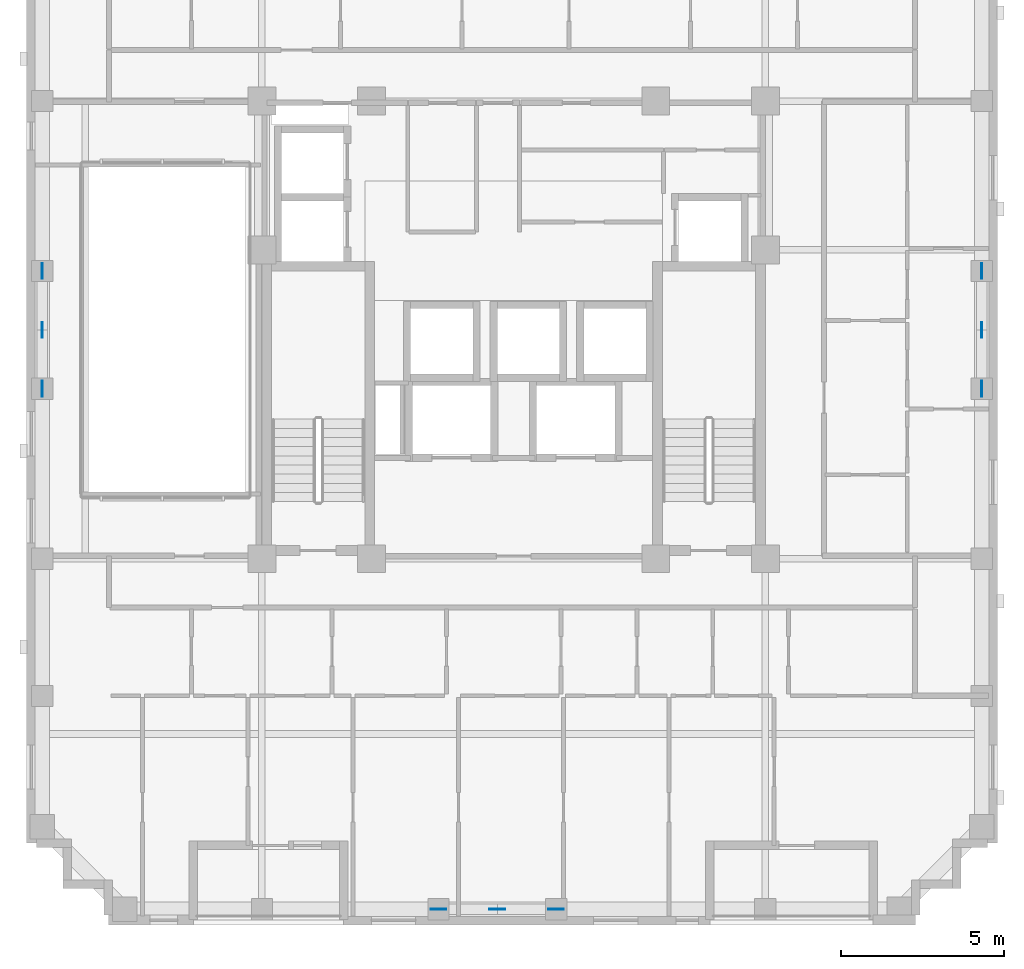
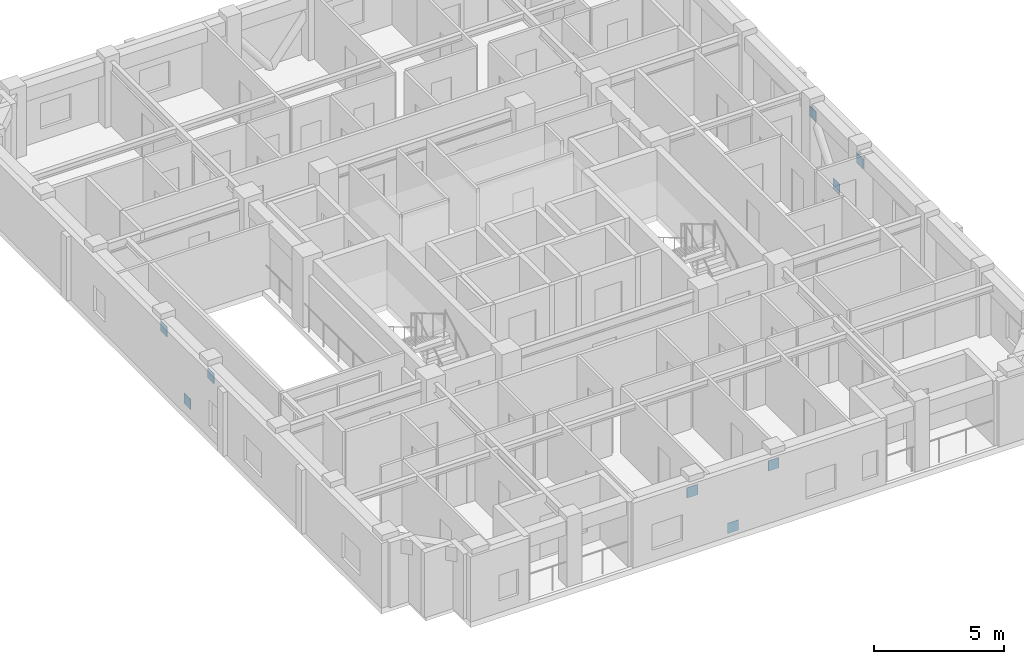
# One storey, part 10 of 13: 9 discrete accessories.
"""IFC4 building model written with IfcOpenShell, lengths in metres."""

from ifc_helpers import new_model, si_unit, derived_unit, direction, frame, origin, origin_2d, place, context, subcontext, project, spatial, rectangle, extrude, material, layer, layer_set, type_object, element, save


model = new_model("IFC4")

# Units and contexts
model_context = context("Model", 3, precision=1e-05, world=origin(), true_north=direction((0.0, 1.0)))
body_context = subcontext(model_context, "Body", "Model", "MODEL_VIEW")
ifc_project = project(units=[si_unit("LENGTHUNIT", "METRE"), si_unit("AREAUNIT", "SQUARE_METRE"), si_unit("VOLUMEUNIT", "CUBIC_METRE"), si_unit("PLANEANGLEUNIT", "RADIAN"), si_unit("MASSUNIT", "GRAM", prefix="KILO"), derived_unit("THERMALTRANSMITTANCEUNIT", [(si_unit("MASSUNIT", "GRAM", prefix="KILO"), 1), (si_unit("TIMEUNIT", "SECOND"), -3), (si_unit("THERMODYNAMICTEMPERATUREUNIT", "KELVIN"), -1)])], contexts=[model_context])

# Site, building, storey
site_placement = place(None, origin())
site = spatial("IfcSite", under=ifc_project, at=site_placement, CompositionType="ELEMENT")
building_placement = place(site_placement, origin())
building = spatial("IfcBuilding", under=site, at=building_placement, Name="Korrvale Station Residences", CompositionType="ELEMENT")
storey_placement = place(building_placement, frame((0.0, 0.0, 177.699951171875)))
storey = spatial("IfcBuildingStorey", under=building, at=storey_placement, Name="L51", CompositionType="ELEMENT", Elevation=177.699951171875)

# Discrete accessories
ifc_material = material(Name="Steel S355", Category="steel")
ifc_layer = layer(ifc_material, 0.02490234375, Name="Steel S355")
ifc_layer_set = layer_set([ifc_layer], Name="Steel S355")
discrete_accessory_type = type_object("IfcDiscreteAccessoryType", Name="ACC-GUSSET-25", PredefinedType="BRACKET", material=ifc_layer_set)
for number, where, z_axis, x_axis, name in (
    (1, (25.0, 4.280029296875, -0.219970703125), (0.0, 0.0, 1.0), (1.0, 0.0, 0.0), "L51 S Brace End Gusset Connection M"),
    (2, (23.199951171875, 4.280029296875, 2.070068359375), (0.0, 0.0, 1.0), (1.0, 0.0, 0.0), "L51 S Brace End Gusset Connection A"),
    (3, (26.800048828125, 4.280029296875, 2.070068359375), (0.0, 0.0, 1.0), (1.0, 0.0, 0.0), "L51 S Brace End Gusset Connection B"),
    (4, (11.080078125, 22.0, -0.219970703125), (0.0, 0.0, 1.0), (0.0, 1.0, 0.0), "L51 W Brace End Gusset Connection M"),
    (5, (11.080078125, 20.199951171875, 2.070068359375), (0.0, 0.0, 1.0), (0.0, 1.0, 0.0), "L51 W Brace End Gusset Connection A"),
    (6, (11.080078125, 23.800048828125, 2.070068359375), (0.0, 0.0, 1.0), (0.0, 1.0, 0.0), "L51 W Brace End Gusset Connection B"),
    (7, (39.820068359375, 22.0, -0.219970703125), (0.0, 0.0, 1.0), (0.0, 1.0, 0.0), "L51 E Brace End Gusset Connection M"),
    (8, (39.820068359375, 20.199951171875, 2.070068359375), (0.0, 0.0, 1.0), (0.0, 1.0, 0.0), "L51 E Brace End Gusset Connection A"),
    (9, (39.820068359375, 23.800048828125, 2.070068359375), (0.0, 0.0, 1.0), (0.0, 1.0, 0.0), "L51 E Brace End Gusset Connection B"),
):
    element("IfcDiscreteAccessory", number, at=place(storey_placement, frame(where, z_axis=z_axis, x_axis=x_axis)), inside=storey, type_object=discrete_accessory_type, Name=name, PredefinedType="BRACKET", context=body_context, shape_type="SweptSolid", body=[
        extrude(rectangle(XDim=0.47998046875, YDim=0.02490234375, at=origin_2d()), origin(), (0.0, 0.0, 1.0), 0.47998046875),
    ])

save(model, "model.ifc")
